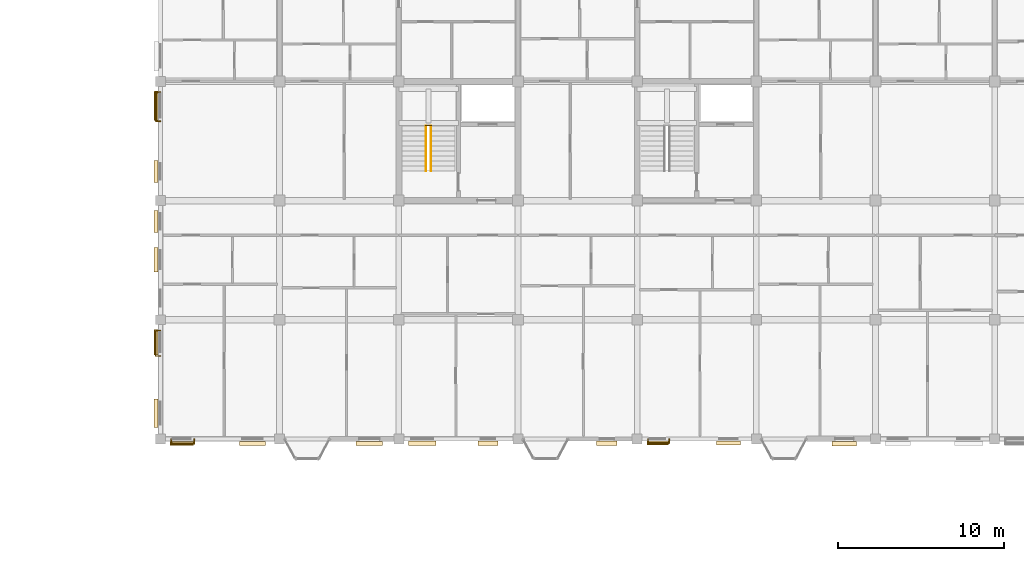
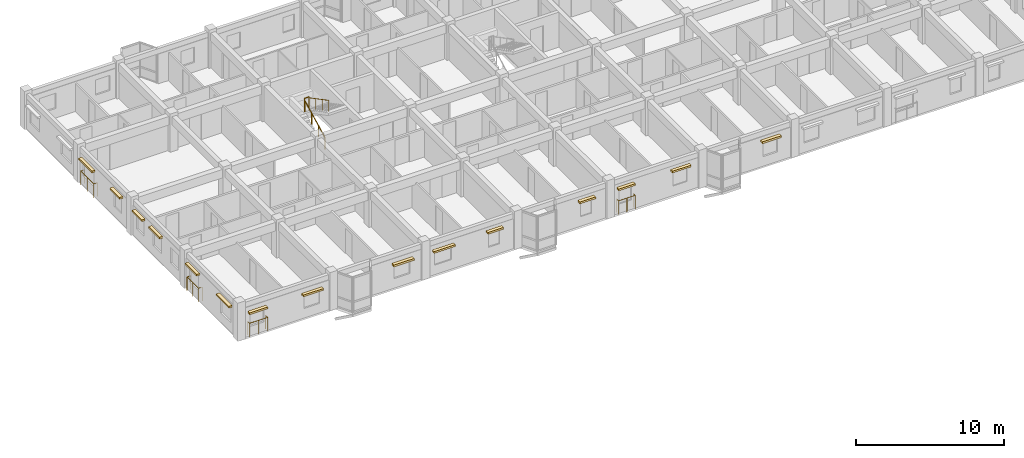
# One storey, part 121 of 124: 15 coverings, 7 railings.
"""IFC4 building model written with IfcOpenShell, lengths in metres."""

from ifc_helpers import new_model, si_unit, direction, frame, origin, origin_2d, place, context, subcontext, project, spatial, rectangle, circle, extrude, material, layer, layer_set, type_object, element, save


model = new_model("IFC4")

# Units and contexts
model_context = context("Model", 3, precision=1e-05, world=origin(), true_north=direction((0.0, 1.0)))
body_context = subcontext(model_context, "Body", "Model", "MODEL_VIEW")
ifc_project = project(units=[si_unit("LENGTHUNIT", "METRE"), si_unit("AREAUNIT", "SQUARE_METRE"), si_unit("VOLUMEUNIT", "CUBIC_METRE"), si_unit("PLANEANGLEUNIT", "RADIAN"), si_unit("MASSUNIT", "GRAM", prefix="KILO"), si_unit("THERMODYNAMICTEMPERATUREUNIT", "KELVIN"), si_unit("POWERUNIT", "WATT")], contexts=[model_context])

# Site, building, storey
site_placement = place(None, origin())
site = spatial("IfcSite", under=ifc_project, at=site_placement, CompositionType="ELEMENT")
building_placement = place(site_placement, origin())
building = spatial("IfcBuilding", under=site, at=building_placement, Name="Tavuni Mirador Residences", CompositionType="ELEMENT")
storey_placement = place(building_placement, frame((0.0, 0.0, 7.64990234375)))
storey = spatial("IfcBuildingStorey", under=building, at=storey_placement, Name="L02", CompositionType="ELEMENT", Elevation=7.64990234375)

# Coverings
ifc_material_1 = material(Name="Natural coral limestone", Category="masonry")
ifc_layer = layer(ifc_material_1, 0.054931640625, Name="Natural coral limestone", Category="masonry")
ifc_layer_set = layer_set([ifc_layer], Name="Natural coral limestone")
covering_type = type_object("IfcCoveringType", Name="CVT-CLAD-CORAL", PredefinedType="CLADDING", material=ifc_layer_set)
covering_1_placement = place(storey_placement, frame((12.090087890625, 143.7255859375, 1.955078125), z_axis=(0.0, 0.0, 1.0), x_axis=(1.0, 0.0, 0.0)))
element("IfcCovering", 1, at=covering_1_placement, inside=storey, type_object=covering_type, Name="HOOD-0558", PredefinedType="CLADDING", context=body_context, shape_type="SweptSolid", body=[
    extrude(rectangle(XDim=1.419921875, YDim=0.25, at=origin_2d()), origin(), (0.0, 0.0, 1.0), 0.14990234375),
])
covering_2_placement = place(storey_placement, frame((16.3701171875, 143.7255859375, 1.955078125), z_axis=(0.0, 0.0, 1.0), x_axis=(1.0, 0.0, 0.0)))
element("IfcCovering", 2, at=covering_2_placement, inside=storey, type_object=covering_type, Name="HOOD-0559", PredefinedType="CLADDING", context=body_context, shape_type="SweptSolid", body=[
    extrude(rectangle(XDim=1.580078125, YDim=0.25, at=origin_2d()), origin(), (0.0, 0.0, 1.0), 0.14990234375),
])
covering_3_placement = place(storey_placement, frame((23.419921875, 143.72802734375, 1.9501953125), z_axis=(0.0, 0.0, 1.0), x_axis=(1.0, 0.0, 0.0)))
element("IfcCovering", 3, at=covering_3_placement, inside=storey, type_object=covering_type, Name="HOOD-0560", PredefinedType="CLADDING", context=body_context, shape_type="SweptSolid", body=[
    extrude(rectangle(XDim=1.60009765625, YDim=0.260009765625, at=origin_2d()), origin(), (0.0, 0.0, 1.0), 0.159912109375),
])
covering_4_placement = place(storey_placement, frame((26.610107421875, 143.740478515625, 1.955078125), z_axis=(0.0, 0.0, 1.0), x_axis=(1.0, 0.0, 0.0)))
element("IfcCovering", 4, at=covering_4_placement, inside=storey, type_object=covering_type, Name="HOOD-0561", PredefinedType="CLADDING", context=body_context, shape_type="SweptSolid", body=[
    extrude(rectangle(XDim=1.659912109375, YDim=0.25, at=origin_2d()), origin(), (0.0, 0.0, 1.0), 0.14990234375),
])
covering_5_placement = place(storey_placement, frame((30.590087890625, 143.740478515625, 2.065185546875), z_axis=(0.0, 0.0, 1.0), x_axis=(1.0, 0.0, 0.0)))
element("IfcCovering", 5, at=covering_5_placement, inside=storey, type_object=covering_type, Name="HOOD-0562", PredefinedType="CLADDING", context=body_context, shape_type="SweptSolid", body=[
    extrude(rectangle(XDim=1.219970703125, YDim=0.25, at=origin_2d()), origin(), (0.0, 0.0, 1.0), 0.14990234375),
])
covering_6_placement = place(storey_placement, frame((37.77001953125, 143.74560546875, 2.06005859375), z_axis=(0.0, 0.0, 1.0), x_axis=(1.0, 0.0, 0.0)))
element("IfcCovering", 6, at=covering_6_placement, inside=storey, type_object=covering_type, Name="HOOD-0563", PredefinedType="CLADDING", context=body_context, shape_type="SweptSolid", body=[
    extrude(rectangle(XDim=1.239990234375, YDim=0.260009765625, at=origin_2d()), origin(), (0.0, 0.0, 1.0), 0.159912109375),
])
covering_7_placement = place(storey_placement, frame((40.830078125, 143.755615234375, 2.065185546875), z_axis=(0.0, 0.0, 1.0), x_axis=(1.0, 0.0, 0.0)))
element("IfcCovering", 7, at=covering_7_placement, inside=storey, type_object=covering_type, Name="HOOD-0564", PredefinedType="CLADDING", context=body_context, shape_type="SweptSolid", body=[
    extrude(rectangle(XDim=1.300048828125, YDim=0.25, at=origin_2d()), origin(), (0.0, 0.0, 1.0), 0.14990234375),
])
covering_8_placement = place(storey_placement, frame((45.110107421875, 143.755615234375, 2.065185546875), z_axis=(0.0, 0.0, 1.0), x_axis=(1.0, 0.0, 0.0)))
element("IfcCovering", 8, at=covering_8_placement, inside=storey, type_object=covering_type, Name="HOOD-0565", PredefinedType="CLADDING", context=body_context, shape_type="SweptSolid", body=[
    extrude(rectangle(XDim=1.4599609375, YDim=0.25, at=origin_2d()), origin(), (0.0, 0.0, 1.0), 0.14990234375),
])
covering_9_placement = place(storey_placement, frame((52.1201171875, 143.7080078125, 2.06005859375), z_axis=(0.0, 0.0, 1.0), x_axis=(1.0, 0.0, 0.0)))
element("IfcCovering", 9, at=covering_9_placement, inside=storey, type_object=covering_type, Name="HOOD-0566", PredefinedType="CLADDING", context=body_context, shape_type="SweptSolid", body=[
    extrude(rectangle(XDim=1.47998046875, YDim=0.260009765625, at=origin_2d()), origin(), (0.0, 0.0, 1.0), 0.159912109375),
])
covering_10_placement = place(storey_placement, frame((10.54052734375, 164.1298828125, 2.065185546875), z_axis=(0.0, 0.0, 1.0), x_axis=(0.0, -1.0, 0.0)))
element("IfcCovering", 10, at=covering_10_placement, inside=storey, type_object=covering_type, Name="HOOD-0599", PredefinedType="CLADDING", context=body_context, shape_type="SweptSolid", body=[
    extrude(rectangle(XDim=1.780029296875, YDim=0.25, at=origin_2d()), origin(), (0.0, 0.0, 1.0), 0.14990234375),
])
for number, where, z_axis, x_axis, name in (
    (11, (10.54052734375, 160.159912109375, 2.1650390625), (0.0, 0.0, 1.0), (0.0, -1.0, 0.0), "HOOD-0600"),
    (12, (10.532958984375, 157.1298828125, 2.1650390625), (0.0, 0.0, 1.0), (0.0, -1.0, 0.0), "HOOD-0601"),
):
    element("IfcCovering", number, at=place(storey_placement, frame(where, z_axis=z_axis, x_axis=x_axis)), inside=storey, type_object=covering_type, Name=name, PredefinedType="CLADDING", context=body_context, shape_type="SweptSolid", body=[
        extrude(rectangle(XDim=1.320068359375, YDim=0.25, at=origin_2d()), origin(), (0.0, 0.0, 1.0), 0.14990234375),
    ])
covering_11_placement = place(storey_placement, frame((10.532958984375, 154.824951171875, 2.1650390625), z_axis=(0.0, 0.0, 1.0), x_axis=(0.0, -1.0, 0.0)))
element("IfcCovering", 13, at=covering_11_placement, inside=storey, type_object=covering_type, Name="HOOD-0602", PredefinedType="CLADDING", context=body_context, shape_type="SweptSolid", body=[
    extrude(rectangle(XDim=1.47998046875, YDim=0.25, at=origin_2d()), origin(), (0.0, 0.0, 1.0), 0.14990234375),
])
covering_12_placement = place(storey_placement, frame((10.525390625, 149.840087890625, 2.1650390625), z_axis=(0.0, 0.0, 1.0), x_axis=(0.0, -1.0, 0.0)))
element("IfcCovering", 14, at=covering_12_placement, inside=storey, type_object=covering_type, Name="HOOD-0603", PredefinedType="CLADDING", context=body_context, shape_type="SweptSolid", body=[
    extrude(rectangle(XDim=1.56005859375, YDim=0.25, at=origin_2d()), origin(), (0.0, 0.0, 1.0), 0.14990234375),
])
covering_13_placement = place(storey_placement, frame((10.525390625, 145.56005859375, 2.1650390625), z_axis=(0.0, 0.0, 1.0), x_axis=(0.0, -1.0, 0.0)))
element("IfcCovering", 15, at=covering_13_placement, inside=storey, type_object=covering_type, Name="HOOD-0604", PredefinedType="CLADDING", context=body_context, shape_type="SweptSolid", body=[
    extrude(rectangle(XDim=1.719970703125, YDim=0.25, at=origin_2d()), origin(), (0.0, 0.0, 1.0), 0.14990234375),
])

# Railings
ifc_material_2 = material(Name="Structural steel S355", Category="steel")
railing_type_1 = type_object("IfcRailingType", Name="RT-BL1150", PredefinedType="BALUSTRADE", material=ifc_material_2)
railing_1_placement = place(storey_placement, frame((11.449951171875, 144.0, 0.0400390625)))
element("IfcRailing", 16, at=railing_1_placement, inside=storey, type_object=railing_type_1, Name="BALC-BLK-C-L02-S00", PredefinedType="BALUSTRADE", context=body_context, shape_type="SweptSolid", body=[
    extrude(circle(Radius=0.02392578125, at=origin_2d()), frame((0.0, 0.0, 1.1259765625), z_axis=(0.0, -1.0, 0.0), x_axis=(1.0, 0.0, 0.0)), (0.0, 0.0, 1.0), 0.29248046875),
    extrude(circle(Radius=0.02392578125, at=origin_2d()), frame((0.0, -0.29248046875, 1.1259765625), z_axis=(1.0, 0.0, 0.0), x_axis=(0.0, 1.0, 0.0)), (0.0, 0.0, 1.0), 1.400146484375),
    extrude(circle(Radius=0.02392578125, at=origin_2d()), frame((1.400146484375, -0.29248046875, 1.1259765625), z_axis=(0.0, 1.0, 0.0), x_axis=(-1.0, 0.0, 0.0)), (0.0, 0.0, 1.0), 0.29248046875),
    extrude(circle(Radius=0.02099609375, at=origin_2d()), origin(), (0.0, 0.0, 1.0), 1.101806640625),
    extrude(circle(Radius=0.02099609375, at=origin_2d()), frame((0.0, -0.29248046875, 0.0)), (0.0, 0.0, 1.0), 1.101806640625),
    extrude(circle(Radius=0.02099609375, at=origin_2d()), frame((0.7001953125, -0.29248046875, 0.0)), (0.0, 0.0, 1.0), 1.101806640625),
    extrude(circle(Radius=0.02099609375, at=origin_2d()), frame((1.400146484375, -0.29248046875, 0.0)), (0.0, 0.0, 1.0), 1.101806640625),
    extrude(circle(Radius=0.02099609375, at=origin_2d()), frame((1.400146484375, 0.0, 0.0)), (0.0, 0.0, 1.0), 1.101806640625),
])
railing_2_placement = place(storey_placement, frame((40.25, 144.0, 0.0400390625)))
element("IfcRailing", 17, at=railing_2_placement, inside=storey, type_object=railing_type_1, Name="BALC-BLK-C-L02-S04", PredefinedType="BALUSTRADE", context=body_context, shape_type="SweptSolid", body=[
    extrude(circle(Radius=0.02392578125, at=origin_2d()), frame((0.0, 0.0, 1.1259765625), z_axis=(0.0, -1.0, 0.0), x_axis=(1.0, 0.0, 0.0)), (0.0, 0.0, 1.0), 0.262451171875),
    extrude(circle(Radius=0.02392578125, at=origin_2d()), frame((0.0, -0.262451171875, 1.1259765625), z_axis=(1.0, 0.0, 0.0), x_axis=(0.0, 1.0, 0.0)), (0.0, 0.0, 1.0), 1.280029296875),
    extrude(circle(Radius=0.02392578125, at=origin_2d()), frame((1.280029296875, -0.262451171875, 1.1259765625), z_axis=(0.0, 1.0, 0.0), x_axis=(-1.0, 0.0, 0.0)), (0.0, 0.0, 1.0), 0.262451171875),
    extrude(circle(Radius=0.02099609375, at=origin_2d()), origin(), (0.0, 0.0, 1.0), 1.101806640625),
    extrude(circle(Radius=0.02099609375, at=origin_2d()), frame((0.0, -0.262451171875, 0.0)), (0.0, 0.0, 1.0), 1.101806640625),
    extrude(circle(Radius=0.02099609375, at=origin_2d()), frame((0.64013671875, -0.262451171875, 0.0)), (0.0, 0.0, 1.0), 1.101806640625),
    extrude(circle(Radius=0.02099609375, at=origin_2d()), frame((1.280029296875, -0.262451171875, 0.0)), (0.0, 0.0, 1.0), 1.101806640625),
    extrude(circle(Radius=0.02099609375, at=origin_2d()), frame((1.280029296875, 0.0, 0.0)), (0.0, 0.0, 1.0), 1.101806640625),
])
railing_3_placement = place(storey_placement, frame((10.800048828125, 164.949951171875, 0.0400390625)))
element("IfcRailing", 18, at=railing_3_placement, inside=storey, type_object=railing_type_1, Name="BALC-BLK-C-L02-W02", PredefinedType="BALUSTRADE", context=body_context, shape_type="SweptSolid", body=[
    extrude(circle(Radius=0.02392578125, at=origin_2d()), frame((0.0, 0.0, 1.1259765625), z_axis=(-1.0, 0.0, 0.0), x_axis=(0.0, -1.0, 0.0)), (0.0, 0.0, 1.0), 0.277587890625),
    extrude(circle(Radius=0.02392578125, at=origin_2d()), frame((-0.277587890625, 0.0, 1.1259765625), z_axis=(0.0, -1.0, 0.0), x_axis=(1.0, 0.0, 0.0)), (0.0, 0.0, 1.0), 1.760009765625),
    extrude(circle(Radius=0.02392578125, at=origin_2d()), frame((-0.277587890625, -1.760009765625, 1.1259765625), z_axis=(1.0, 0.0, 0.0), x_axis=(0.0, 1.0, 0.0)), (0.0, 0.0, 1.0), 0.277587890625),
    extrude(circle(Radius=0.02099609375, at=origin_2d()), origin(), (0.0, 0.0, 1.0), 1.101806640625),
    extrude(circle(Radius=0.02099609375, at=origin_2d()), frame((-0.277587890625, 0.0, 0.0)), (0.0, 0.0, 1.0), 1.101806640625),
    extrude(circle(Radius=0.02099609375, at=origin_2d()), frame((-0.277587890625, -0.8798828125, 0.0)), (0.0, 0.0, 1.0), 1.101806640625),
    extrude(circle(Radius=0.02099609375, at=origin_2d()), frame((-0.277587890625, -1.760009765625, 0.0)), (0.0, 0.0, 1.0), 1.101806640625),
    extrude(circle(Radius=0.02099609375, at=origin_2d()), frame((0.0, -1.760009765625, 0.0)), (0.0, 0.0, 1.0), 1.101806640625),
])
railing_4_placement = place(storey_placement, frame((10.800048828125, 150.550048828125, 0.0400390625)))
element("IfcRailing", 19, at=railing_4_placement, inside=storey, type_object=railing_type_1, Name="BALC-BLK-C-L02-W00", PredefinedType="BALUSTRADE", context=body_context, shape_type="SweptSolid", body=[
    extrude(circle(Radius=0.02392578125, at=origin_2d()), frame((0.0, 0.0, 1.1259765625), z_axis=(-1.0, 0.0, 0.0), x_axis=(0.0, -1.0, 0.0)), (0.0, 0.0, 1.0), 0.29248046875),
    extrude(circle(Radius=0.02392578125, at=origin_2d()), frame((-0.29248046875, 0.0, 1.1259765625), z_axis=(0.0, -1.0, 0.0), x_axis=(1.0, 0.0, 0.0)), (0.0, 0.0, 1.0), 1.5400390625),
    extrude(circle(Radius=0.02392578125, at=origin_2d()), frame((-0.29248046875, -1.5400390625, 1.1259765625), z_axis=(1.0, 0.0, 0.0), x_axis=(0.0, 1.0, 0.0)), (0.0, 0.0, 1.0), 0.29248046875),
    extrude(circle(Radius=0.02099609375, at=origin_2d()), origin(), (0.0, 0.0, 1.0), 1.101806640625),
    extrude(circle(Radius=0.02099609375, at=origin_2d()), frame((-0.29248046875, 0.0, 0.0)), (0.0, 0.0, 1.0), 1.101806640625),
    extrude(circle(Radius=0.02099609375, at=origin_2d()), frame((-0.29248046875, -0.77001953125, 0.0)), (0.0, 0.0, 1.0), 1.101806640625),
    extrude(circle(Radius=0.02099609375, at=origin_2d()), frame((-0.29248046875, -1.5400390625, 0.0)), (0.0, 0.0, 1.0), 1.101806640625),
    extrude(circle(Radius=0.02099609375, at=origin_2d()), frame((0.0, -1.5400390625, 0.0)), (0.0, 0.0, 1.0), 1.101806640625),
])
railing_type_2 = type_object("IfcRailingType", Name="RT-GR1120", PredefinedType="GUARDRAIL", material=ifc_material_2)
railing_5_placement = place(storey_placement, frame((26.820068359375, 162.93994140625, 1.5751953125)))
element("IfcRailing", 20, at=railing_5_placement, inside=storey, type_object=railing_type_2, Name="GRD-HL-ST5-L02", PredefinedType="GUARDRAIL", context=body_context, shape_type="SweptSolid", body=[
    extrude(circle(Radius=0.02392578125, at=origin_2d()), frame((0.0, 0.0, 1.09619140625), z_axis=(1.0, 0.0, 0.0), x_axis=(0.0, 1.0, 0.0)), (0.0, 0.0, 1.0), 0.35986328125),
    extrude(circle(Radius=0.02099609375, at=origin_2d()), origin(), (0.0, 0.0, 1.0), 1.072021484375),
    extrude(circle(Radius=0.02099609375, at=origin_2d()), frame((0.35986328125, 0.0, 0.0)), (0.0, 0.0, 1.0), 1.072021484375),
])
railing_type_3 = type_object("IfcRailingType", Name="RT-HR920", PredefinedType="HANDRAIL", material=ifc_material_2)
railing_6_placement = place(storey_placement, frame((26.85009765625, 160.199951171875, 0.15771484375)))
element("IfcRailing", 21, at=railing_6_placement, inside=storey, type_object=railing_type_3, Name="HR-ST5-L02-F1", PredefinedType="HANDRAIL", context=body_context, shape_type="SweptSolid", body=[
    extrude(circle(Radius=0.02392578125, at=origin_2d()), frame((0.0, 0.0, 0.89599609375), z_axis=(0.0, 0.885397079081, 0.464835468048), x_axis=(-1.0, 0.0, 0.0)), (0.0, 0.0, 1.0), 3.04931640625),
    extrude(circle(Radius=0.02099609375, at=origin_2d()), origin(), (0.0, 0.0, 1.0), 0.871826171875),
    extrude(circle(Radius=0.02099609375, at=origin_2d()), frame((0.0, 0.89990234375, 0.472412109375)), (0.0, 0.0, 1.0), 0.871826171875),
    extrude(circle(Radius=0.02099609375, at=origin_2d()), frame((0.0, 1.800048828125, 0.945068359375)), (0.0, 0.0, 1.0), 0.871826171875),
    extrude(circle(Radius=0.02099609375, at=origin_2d()), frame((0.0, 2.699951171875, 1.41748046875)), (0.0, 0.0, 1.0), 0.871826171875),
])
railing_7_placement = place(storey_placement, frame((27.14990234375, 162.89990234375, 1.732666015625)))
element("IfcRailing", 22, at=railing_7_placement, inside=storey, type_object=railing_type_3, Name="HR-ST5-L02-F2", PredefinedType="HANDRAIL", context=body_context, shape_type="SweptSolid", body=[
    extrude(circle(Radius=0.02392578125, at=origin_2d()), frame((0.0, 0.0, 0.89599609375), z_axis=(0.0, -0.885397079081, 0.464835468048), x_axis=(1.0, 0.0, 0.0)), (0.0, 0.0, 1.0), 3.04931640625),
    extrude(circle(Radius=0.02099609375, at=origin_2d()), origin(), (0.0, 0.0, 1.0), 0.871826171875),
    extrude(circle(Radius=0.02099609375, at=origin_2d()), frame((0.0, -0.89990234375, 0.472412109375)), (0.0, 0.0, 1.0), 0.871826171875),
    extrude(circle(Radius=0.02099609375, at=origin_2d()), frame((0.0, -1.800048828125, 0.945068359375)), (0.0, 0.0, 1.0), 0.871826171875),
    extrude(circle(Radius=0.02099609375, at=origin_2d()), frame((0.0, -2.699951171875, 1.41748046875)), (0.0, 0.0, 1.0), 0.871826171875),
])

save(model, "model.ifc")
